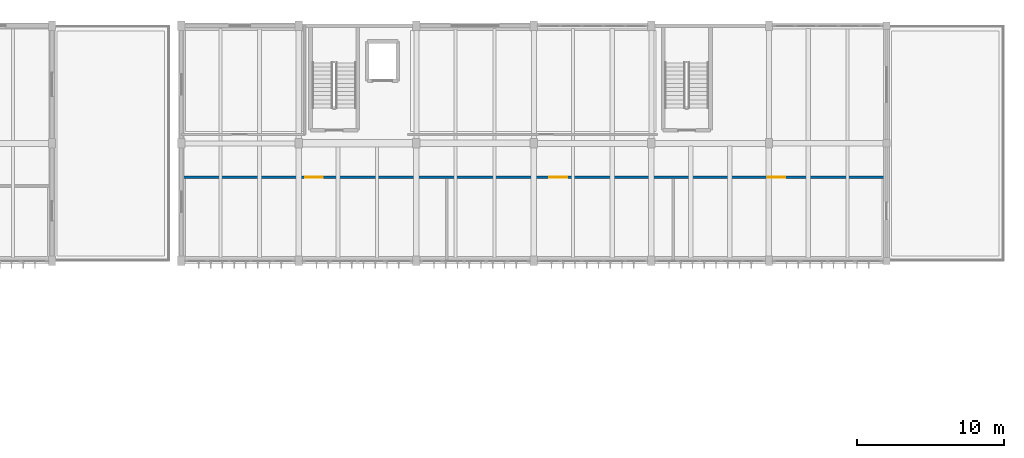
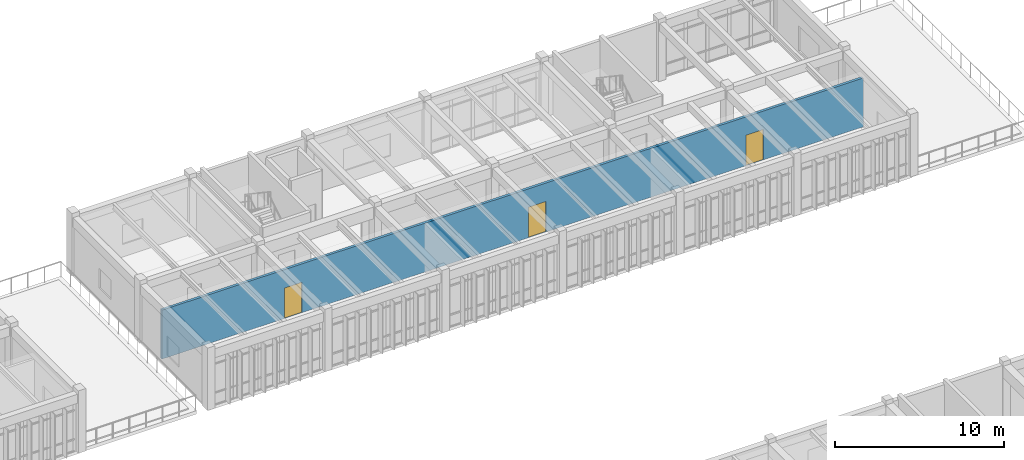
# One storey, part 53 of 72: 3 doors, 1 wall, 3 openings.
"""IFC4 building model written with IfcOpenShell, lengths in metres."""

from ifc_helpers import new_model, si_unit, direction, frame, frame_2d, origin, place, context, subcontext, project, spatial, rectangle, extrude, material, layer, layer_set, type_object, element, fill, save


model = new_model("IFC4")

# Units and contexts
model_context = context("Model", 3, precision=1e-05, world=origin(), true_north=direction((0.0, 1.0)))
body_context = subcontext(model_context, "Body", "Model", "MODEL_VIEW")
ifc_project = project(units=[si_unit("LENGTHUNIT", "METRE"), si_unit("AREAUNIT", "SQUARE_METRE"), si_unit("VOLUMEUNIT", "CUBIC_METRE"), si_unit("PLANEANGLEUNIT", "RADIAN"), si_unit("MASSUNIT", "GRAM", prefix="KILO")], contexts=[model_context])

# Site, building, storey
site_placement = place(None, origin())
site = spatial("IfcSite", under=ifc_project, at=site_placement, CompositionType="ELEMENT")
building_placement = place(site_placement, origin())
building = spatial("IfcBuilding", under=site, at=building_placement, Name="Tlaxcora Railside Police Headquarters", CompositionType="ELEMENT")
storey_placement = place(building_placement, frame((0.0, 0.0, 13.5)))
storey = spatial("IfcBuildingStorey", under=building, at=storey_placement, Name="L03", CompositionType="ELEMENT", Elevation=13.5)

# Wall, openings, doors
ifc_material_1 = material(Name="Gypsum acoustic partition board")
ifc_layer = layer(ifc_material_1, 0.175048828125, Name="Gypsum acoustic partition board")
ifc_layer_set = layer_set([ifc_layer], Name="Gypsum acoustic partition board")
wall_type = type_object("IfcWallType", Name="Interior Partition Wall IW-22", PredefinedType="PARTITIONING", material=ifc_layer_set)
wall_placement = place(storey_placement, frame((102.8798828125, 82.5, 0.0), z_axis=(0.0, 0.0, 1.0), x_axis=(1.0, 0.0, 0.0)))
wall = element("IfcWall", 1, at=wall_placement, inside=storey, type_object=wall_type, Name="V6 L03 interior partition 185", PredefinedType="PARTITIONING", context=body_context, shape_type="SweptSolid", body=[
    extrude(rectangle(XDim=47.840087890625, YDim=0.175048828125, at=frame_2d((23.919921875, 0.0))), origin(), (0.0, 0.0, 1.0), 3.52490234375),
])
opening_1_placement = place(wall_placement, frame((8.35009765625, 0.0, 0.0)))
opening_1 = element("IfcOpeningElement", 2, at=opening_1_placement, cuts=wall, Name="Opening D-L03-213", PredefinedType="OPENING", context=body_context, shape_type="SweptSolid", body=[
    extrude(rectangle(XDim=1.199951171875, YDim=2.199951171875, at=frame_2d((0.60009765625, 1.10009765625))), frame((0.0, 0.09765625, 0.0), z_axis=(0.0, -1.0, 0.0), x_axis=(1.0, 0.0, 0.0)), (0.0, 0.0, 1.0), 0.195068359375),
])
opening_2_placement = place(wall_placement, frame((24.97998046875, 0.0, 0.0)))
opening_2 = element("IfcOpeningElement", 3, at=opening_2_placement, cuts=wall, Name="Opening D-L03-214", PredefinedType="OPENING", context=body_context, shape_type="SweptSolid", body=[
    extrude(rectangle(XDim=1.199951171875, YDim=2.199951171875, at=frame_2d((0.60009765625, 1.10009765625))), frame((0.0, 0.09765625, 0.0), z_axis=(0.0, -1.0, 0.0), x_axis=(1.0, 0.0, 0.0)), (0.0, 0.0, 1.0), 0.195068359375),
])
opening_3_placement = place(wall_placement, frame((39.830078125, 0.0, 0.0)))
opening_3 = element("IfcOpeningElement", 4, at=opening_3_placement, cuts=wall, Name="Opening D-L03-215", PredefinedType="OPENING", context=body_context, shape_type="SweptSolid", body=[
    extrude(rectangle(XDim=1.199951171875, YDim=2.199951171875, at=frame_2d((0.60009765625, 1.10009765625))), frame((0.0, 0.09765625, 0.0), z_axis=(0.0, -1.0, 0.0), x_axis=(1.0, 0.0, 0.0)), (0.0, 0.0, 1.0), 0.195068359375),
])
ifc_material_2 = material(Name="Steel ASTM A992 Grade 50", Category="steel")
door_type = type_object("IfcDoorType", Name="Swing or Sliding Personnel Door ID-65", OperationType="NOTDEFINED", PredefinedType="DOOR", material=ifc_material_2)
door_1_placement = place(opening_1_placement, origin())
door_1 = element("IfcDoor", 5, at=door_1_placement, inside=storey, type_object=door_type, Name="V6 L03 door D-L03-213", OperationType="DOUBLE_DOOR_SINGLE_SWING", OverallHeight=2.199951171875, OverallWidth=1.199951171875, PredefinedType="DOOR", context=body_context, shape_type="SweptSolid", body=[
    extrude(rectangle(XDim=1.199951171875, YDim=2.199951171875, at=frame_2d((0.60009765625, 1.10009765625))), frame((0.0, 0.02490234375, 0.0), z_axis=(0.0, -1.0, 0.0), x_axis=(1.0, 0.0, 0.0)), (0.0, 0.0, 1.0), 0.050048828125),
])
fill(opening_1, door_1)
door_2_placement = place(opening_2_placement, origin())
door_2 = element("IfcDoor", 6, at=door_2_placement, inside=storey, type_object=door_type, Name="V6 L03 door D-L03-214", OperationType="DOUBLE_DOOR_SINGLE_SWING", OverallHeight=2.199951171875, OverallWidth=1.199951171875, PredefinedType="DOOR", context=body_context, shape_type="SweptSolid", body=[
    extrude(rectangle(XDim=1.199951171875, YDim=2.199951171875, at=frame_2d((0.60009765625, 1.10009765625))), frame((0.0, 0.02490234375, 0.0), z_axis=(0.0, -1.0, 0.0), x_axis=(1.0, 0.0, 0.0)), (0.0, 0.0, 1.0), 0.050048828125),
])
fill(opening_2, door_2)
door_3_placement = place(opening_3_placement, origin())
door_3 = element("IfcDoor", 7, at=door_3_placement, inside=storey, type_object=door_type, Name="V6 L03 door D-L03-215", OperationType="DOUBLE_DOOR_SINGLE_SWING", OverallHeight=2.199951171875, OverallWidth=1.199951171875, PredefinedType="DOOR", context=body_context, shape_type="SweptSolid", body=[
    extrude(rectangle(XDim=1.199951171875, YDim=2.199951171875, at=frame_2d((0.60009765625, 1.10009765625))), frame((0.0, 0.02490234375, 0.0), z_axis=(0.0, -1.0, 0.0), x_axis=(1.0, 0.0, 0.0)), (0.0, 0.0, 1.0), 0.050048828125),
])
fill(opening_3, door_3)

save(model, "model.ifc")
